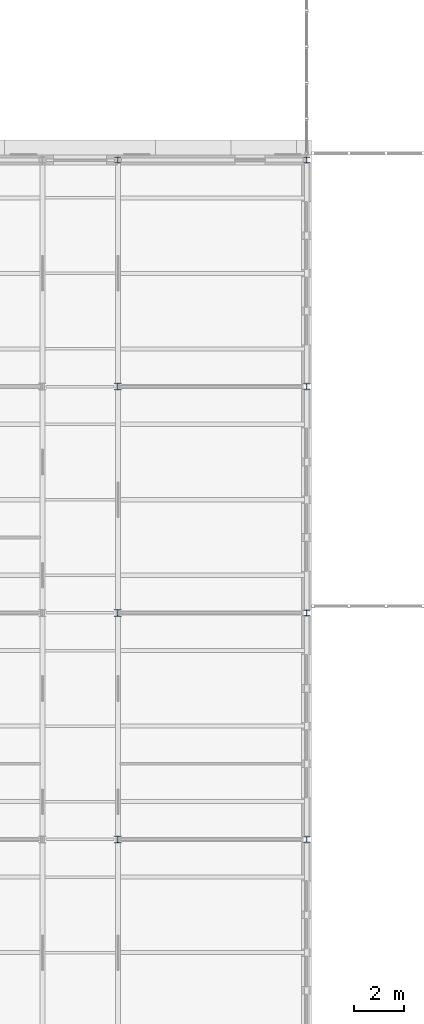
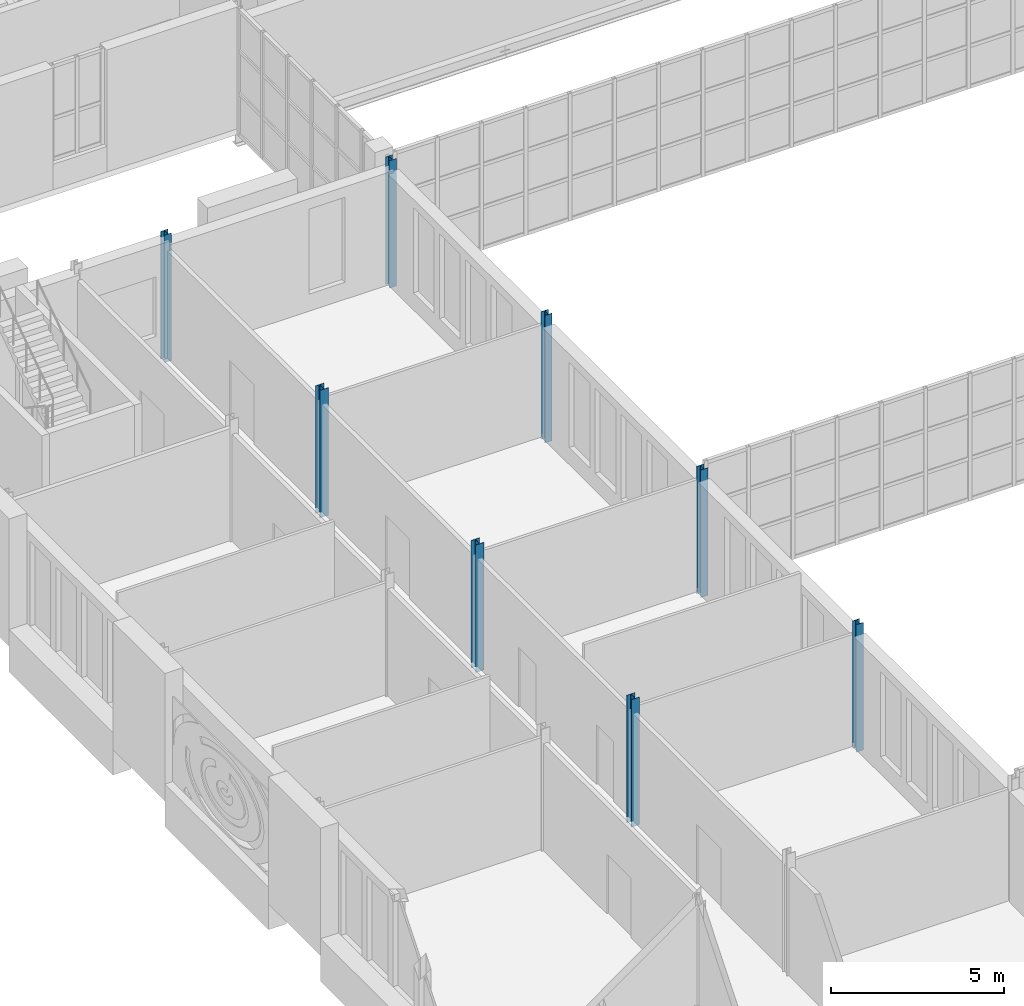
# One storey, part 7 of 131: 8 columns.
"""IFC4 building model written with IfcOpenShell, lengths in metres."""

from ifc_helpers import new_model, si_unit, direction, frame, origin, origin_2d, place, context, subcontext, project, spatial, i_section, extrude, material, material_profile, profile_set, type_object, element, save


model = new_model("IFC4")

# Units and contexts
model_context = context("Model", 3, precision=1e-05, world=origin(), true_north=direction((0.0, 1.0)))
body_context = subcontext(model_context, "Body", "Model", "MODEL_VIEW")
ifc_project = project(units=[si_unit("LENGTHUNIT", "METRE"), si_unit("AREAUNIT", "SQUARE_METRE"), si_unit("VOLUMEUNIT", "CUBIC_METRE"), si_unit("PLANEANGLEUNIT", "RADIAN"), si_unit("MASSUNIT", "GRAM", prefix="KILO")], contexts=[model_context])

# Site, building, storey
site_placement = place(None, origin())
site = spatial("IfcSite", under=ifc_project, at=site_placement, CompositionType="ELEMENT")
building_placement = place(site_placement, origin())
building = spatial("IfcBuilding", under=site, at=building_placement, Name="Golden Quay Civic Hall", CompositionType="ELEMENT")
storey_placement = place(building_placement, frame((0.0, 0.0, 9.89990234375)))
storey = spatial("IfcBuildingStorey", under=building, at=storey_placement, Name="L02", CompositionType="ELEMENT", Elevation=9.89990234375)

# Columns
ifc_material_1 = material(Name="Steel S355", Category="steel")
ifc_material_profile_1 = material_profile(ifc_material_1, i_section(OverallWidth=0.239990234375, OverallDepth=0.22998046875, WebThickness=0.007568359375, FlangeThickness=0.011962890625, FilletRadius=0.02099609375, at=origin_2d()), Name="HEA 240")
ifc_profile_set_1 = profile_set([ifc_material_profile_1], Name="Steel S355")
column_type_1 = type_object("IfcColumnType", Name="Steel column HEA 240", PredefinedType="COLUMN", material=ifc_profile_set_1)
for number, where, z_axis, x_axis, name in (
    (1, (64.5, 54.0, -0.199951171875), (0.0, 0.0, 1.0), (1.0, 0.0, 0.0), "Column 64.5/54 L02"),
    (2, (72.0, 27.0, -0.199951171875), (0.0, 0.0, 1.0), (1.0, 0.0, 0.0), "Column 72/27 L02"),
    (3, (72.0, 36.0, -0.199951171875), (0.0, 0.0, 1.0), (1.0, 0.0, 0.0), "Column 72/36 L02"),
    (4, (72.0, 45.0, -0.199951171875), (0.0, 0.0, 1.0), (1.0, 0.0, 0.0), "Column 72/45 L02"),
    (5, (72.0, 54.0, -0.199951171875), (0.0, 0.0, 1.0), (1.0, 0.0, 0.0), "Column 72/54 L02"),
):
    element("IfcColumn", number, at=place(storey_placement, frame(where, z_axis=z_axis, x_axis=x_axis)), inside=storey, type_object=column_type_1, Name=name, PredefinedType="COLUMN", context=body_context, shape_type="SweptSolid", body=[
        extrude(i_section(OverallWidth=0.239990234375, OverallDepth=0.22998046875, WebThickness=0.007568359375, FlangeThickness=0.011962890625, FilletRadius=0.02099609375, at=origin_2d()), origin(), (0.0, 0.0, 1.0), 4.5),
    ])
ifc_material_2 = material(Name="Steel S355", Category="steel")
ifc_material_profile_2 = material_profile(ifc_material_2, i_section(OverallWidth=0.280029296875, OverallDepth=0.27001953125, WebThickness=0.008056640625, FlangeThickness=0.012939453125, FilletRadius=0.02392578125, at=origin_2d()), Name="HEA 280")
ifc_profile_set_2 = profile_set([ifc_material_profile_2], Name="Steel S355")
column_type_2 = type_object("IfcColumnType", Name="Steel column HEA 280", PredefinedType="COLUMN", material=ifc_profile_set_2)
for number, where, z_axis, x_axis, name in (
    (6, (64.5, 27.0, -0.199951171875), (0.0, 0.0, 1.0), (1.0, 0.0, 0.0), "Column 64.5/27 L02"),
    (7, (64.5, 36.0, -0.199951171875), (0.0, 0.0, 1.0), (1.0, 0.0, 0.0), "Column 64.5/36 L02"),
    (8, (64.5, 45.0, -0.199951171875), (0.0, 0.0, 1.0), (1.0, 0.0, 0.0), "Column 64.5/45 L02"),
):
    element("IfcColumn", number, at=place(storey_placement, frame(where, z_axis=z_axis, x_axis=x_axis)), inside=storey, type_object=column_type_2, Name=name, PredefinedType="COLUMN", context=body_context, shape_type="SweptSolid", body=[
        extrude(i_section(OverallWidth=0.280029296875, OverallDepth=0.27001953125, WebThickness=0.008056640625, FlangeThickness=0.012939453125, FilletRadius=0.02392578125, at=origin_2d()), origin(), (0.0, 0.0, 1.0), 4.5),
    ])

save(model, "model.ifc")
